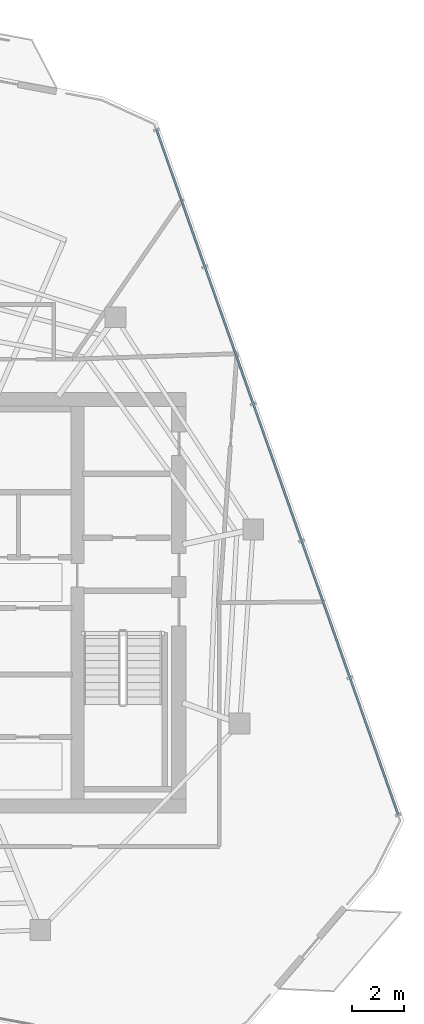
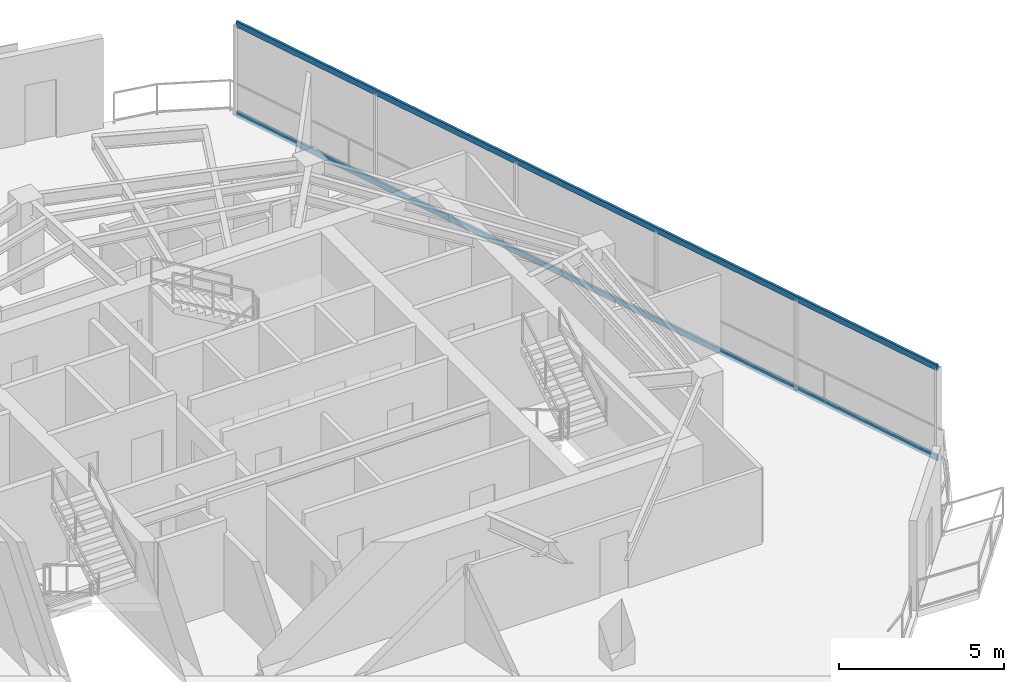
# One storey, part 11 of 18: 2 members, 1 element without a shape of its own.
"""IFC4 building model written with IfcOpenShell, lengths in metres."""

from ifc_helpers import new_model, si_unit, direction, frame, origin, origin_2d, place, context, subcontext, project, spatial, hollow_rectangle, extrude, material, layer, layer_set, material_profile, profile_set, type_object, element, aggregate, save


model = new_model("IFC4")

# Units and contexts
model_context = context("Model", 3, precision=1e-05, world=origin(), true_north=direction((0.0, 1.0)))
body_context = subcontext(model_context, "Body", "Model", "MODEL_VIEW")
ifc_project = project(units=[si_unit("LENGTHUNIT", "METRE"), si_unit("AREAUNIT", "SQUARE_METRE"), si_unit("VOLUMEUNIT", "CUBIC_METRE"), si_unit("PLANEANGLEUNIT", "RADIAN"), si_unit("MASSUNIT", "GRAM", prefix="KILO")], contexts=[model_context])

# Site, building, storey
site_placement = place(None, origin())
site = spatial("IfcSite", under=ifc_project, at=site_placement, CompositionType="ELEMENT")
building_placement = place(site_placement, origin())
building = spatial("IfcBuilding", under=site, at=building_placement, Name="Qarnah Convention Tower", CompositionType="ELEMENT")
storey_placement = place(building_placement, frame((0.0, 0.0, 253.5)))
storey = spatial("IfcBuildingStorey", under=building, at=storey_placement, Name="L68", CompositionType="ELEMENT", Elevation=253.5)

# Curtain wall, members
ifc_material_1 = material(Name="Tempered Low-E dark glass", Category="glass")
ifc_layer = layer(ifc_material_1, 0.176025390625)
ifc_layer_set = layer_set([ifc_layer], Name="Tempered Low-E dark glass")
curtain_wall_type = type_object("IfcCurtainWallType", Name="CWS-05", PredefinedType="NOTDEFINED", material=ifc_layer_set)
curtain_wall_placement = place(storey_placement, origin())
curtain_wall = element("IfcCurtainWall", 1, at=curtain_wall_placement, inside=storey, type_object=curtain_wall_type, Name="L68 unitised curtain wall CW-L68-F3", PredefinedType="NOTDEFINED")
ifc_material_2 = material(Name="Black anodised aluminium", Category="aluminium")
ifc_material_profile = material_profile(ifc_material_2, hollow_rectangle(XDim=0.080078125, YDim=0.2099609375, WallThickness=0.0048828125, at=origin_2d()), Name="TRN-80X210")
ifc_profile_set = profile_set([ifc_material_profile], Name="Black anodised aluminium")
member_type = type_object("IfcMemberType", Name="TRN-T5", PredefinedType="USERDEFINED", material=ifc_profile_set)
member_1_placement = place(storey_placement, frame((46.748046875, 44.555908203125, 0.0), z_axis=(0.332812332719, -0.9429930812, 0.0), x_axis=(0.9429930812, 0.332812332719, 0.0)))
member_1 = element("IfcMember", 2, at=member_1_placement, type_object=member_type, Name="CW-L68-F3 transom 1", ObjectType="TRANSOM", PredefinedType="USERDEFINED", context=body_context, shape_type="SweptSolid", body=[
    extrude(hollow_rectangle(XDim=0.080078125, YDim=0.2099609375, WallThickness=0.0048828125, at=origin_2d()), origin(), (0.0, 0.0, 1.0), 27.88671875),
])
member_2_placement = place(storey_placement, frame((46.748046875, 44.555908203125, 3.320068359375), z_axis=(0.332812332719, -0.9429930812, 0.0), x_axis=(0.9429930812, 0.332812332719, 0.0)))
member_2 = element("IfcMember", 3, at=member_2_placement, type_object=member_type, Name="CW-L68-F3 transom 2", ObjectType="TRANSOM", PredefinedType="USERDEFINED", context=body_context, shape_type="SweptSolid", body=[
    extrude(hollow_rectangle(XDim=0.080078125, YDim=0.2099609375, WallThickness=0.0048828125, at=origin_2d()), origin(), (0.0, 0.0, 1.0), 27.88671875),
])
aggregate(curtain_wall, [member_1, member_2])

save(model, "model.ifc")
